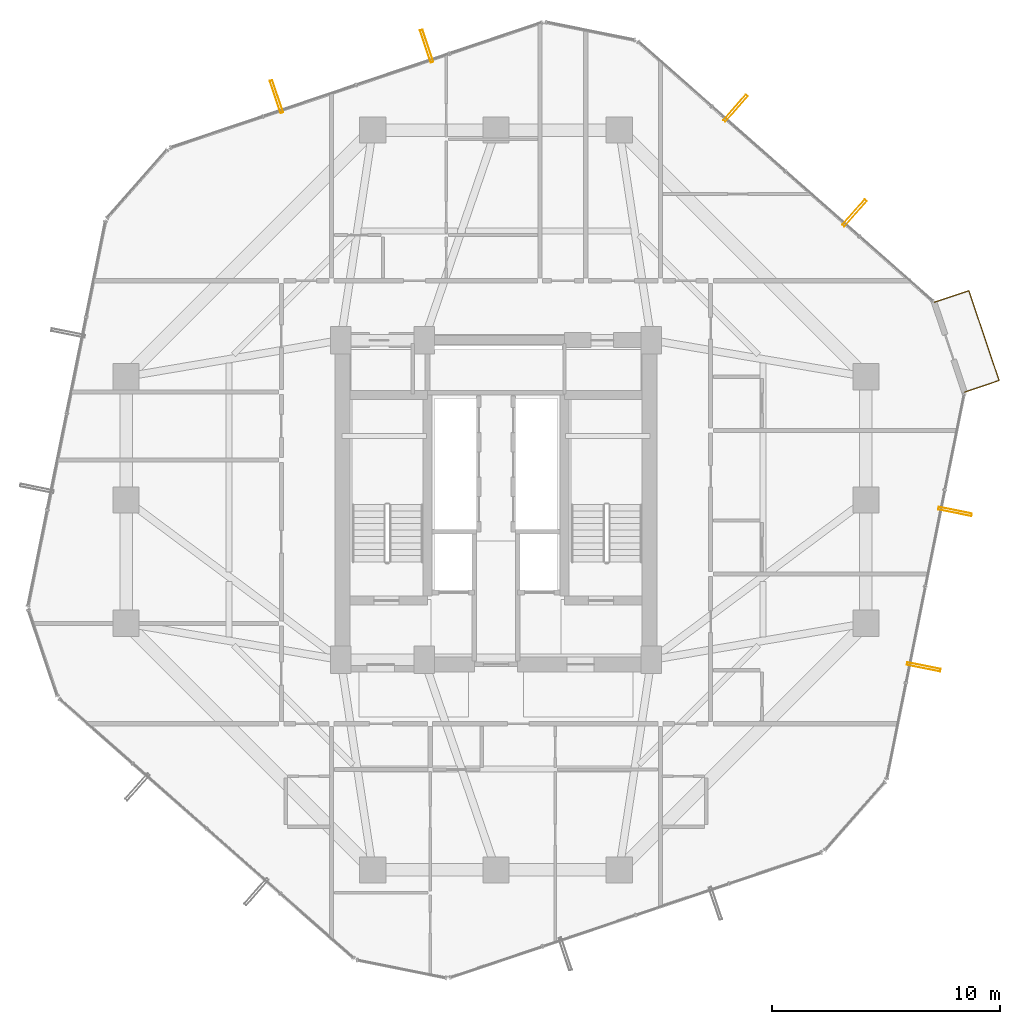
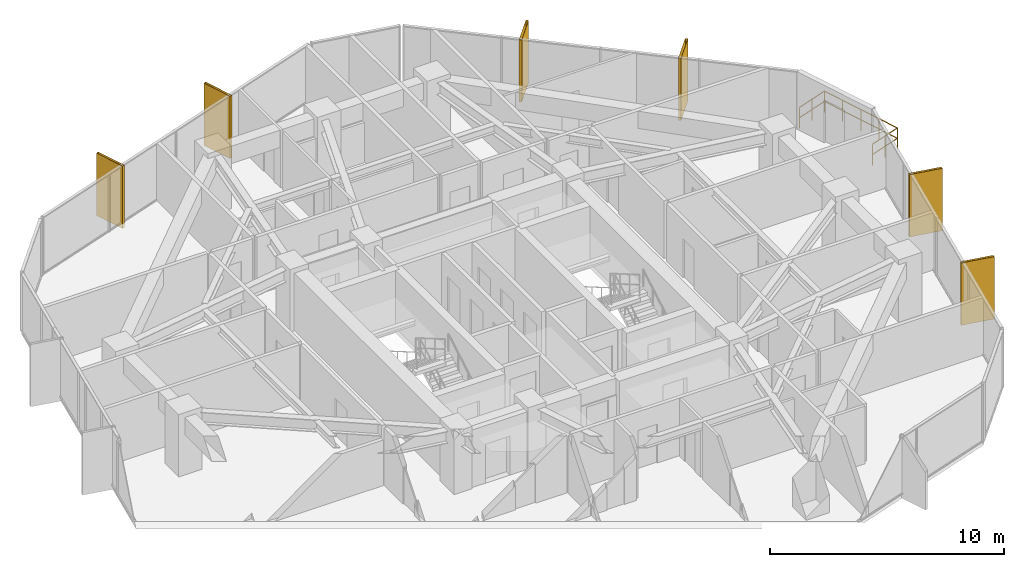
# One storey, part 32 of 32: 6 shading devices, 1 railing.
"""IFC4 building model written with IfcOpenShell, lengths in metres."""

from ifc_helpers import new_model, si_unit, direction, frame, origin, origin_2d, place, context, subcontext, project, spatial, hollow_rectangle, circle, extrude, material, material_profile, profile_set, type_object, element, save


model = new_model("IFC4")

# Units and contexts
model_context = context("Model", 3, precision=1e-05, world=origin(), true_north=direction((0.0, 1.0)))
body_context = subcontext(model_context, "Body", "Model", "MODEL_VIEW")
ifc_project = project(units=[si_unit("LENGTHUNIT", "METRE"), si_unit("AREAUNIT", "SQUARE_METRE"), si_unit("VOLUMEUNIT", "CUBIC_METRE"), si_unit("PLANEANGLEUNIT", "RADIAN"), si_unit("MASSUNIT", "GRAM", prefix="KILO")], contexts=[model_context])

# Site, building, storey
site_placement = place(None, origin())
site = spatial("IfcSite", under=ifc_project, at=site_placement, CompositionType="ELEMENT")
building_placement = place(site_placement, origin())
building = spatial("IfcBuilding", under=site, at=building_placement, Name="Veraguas Prism Commons", CompositionType="ELEMENT")
storey_placement = place(building_placement, frame((0.0, 0.0, 89.449951171875)))
storey = spatial("IfcBuildingStorey", under=building, at=storey_placement, Name="L24", CompositionType="ELEMENT", Elevation=89.449951171875)

# Shading devices
ifc_material_1 = material(Name="Anodised aluminium EN AW-6063 T6", Category="aluminium")
ifc_material_profile = material_profile(ifc_material_1, hollow_rectangle(XDim=0.1201171875, YDim=1.489990234375, WallThickness=0.006103515625, at=origin_2d()), Name="FIN120X1490X6")
ifc_profile_set = profile_set([ifc_material_profile], Name="Anodised aluminium EN AW-6063 T6")
shading_device_type = type_object("IfcShadingDeviceType", Name="Deep Pale-Metal Vertical Solar Fin 120x1490", PredefinedType="USERDEFINED", material=ifc_profile_set)
for number, where, z_axis, x_axis, name in (
    (1, (39.697998046875, 36.56787109375, -0.22998046875), (0.0, 0.0, 1.0), (-0.750338404055, 0.661053915653, 0.0), "Vertical Pale-Metal Solar Fin L24-F1A"),
    (2, (34.489501953125, 41.15673828125, -0.22998046875), (0.0, 0.0, 1.0), (-0.750338404055, 0.661053915653, 0.0), "Vertical Pale-Metal Solar Fin L24-F1B"),
    (3, (20.96484375, 43.87890625, -0.22998046875), (0.0, 0.0, 1.0), (-0.947658686254, -0.31928516152, 0.0), "Vertical Pale-Metal Solar Fin L24-F2A"),
    (4, (14.386474609375, 41.66259765625, -0.22998046875), (0.0, 0.0, 1.0), (-0.947658686254, -0.31928516152, 0.0), "Vertical Pale-Metal Solar Fin L24-F2B"),
    (5, (42.733154296875, 16.68896484375, -0.22998046875), (0.0, 0.0, 1.0), (0.197316860169, 0.980339765945, 0.0), "Vertical Pale-Metal Solar Fin L24-F6A"),
    (6, (44.102783203125, 23.494384765625, -0.22998046875), (0.0, 0.0, 1.0), (0.197316860169, 0.980339765945, 0.0), "Vertical Pale-Metal Solar Fin L24-F6B"),
):
    element("IfcShadingDevice", number, at=place(storey_placement, frame(where, z_axis=z_axis, x_axis=x_axis)), inside=storey, type_object=shading_device_type, Name=name, ObjectType="FIN", PredefinedType="USERDEFINED", context=body_context, shape_type="SweptSolid", body=[
        extrude(hollow_rectangle(XDim=0.1201171875, YDim=1.489990234375, WallThickness=0.006103515625, at=origin_2d()), origin(), (0.0, 0.0, 1.0), 3.25),
    ])

# Railing
ifc_material_2 = material(Name="Stainless steel AISI 316", Category="steel")
railing_type = type_object("IfcRailingType", Name="Loggia and Sky Pool Glazed Balustrade 1120", PredefinedType="BALUSTRADE", material=ifc_material_2)
railing_placement = place(storey_placement, frame((44.517578125, 28.7216796875, 0.0)))
element("IfcRailing", 7, at=railing_placement, inside=storey, type_object=railing_type, Name="Recessed Corner Loggia L24-C1 Guard", PredefinedType="BALUSTRADE", context=body_context, shape_type="SweptSolid", body=[
    extrude(circle(Radius=0.02392578125, at=origin_2d()), frame((0.0, 0.0, 1.09619140625), z_axis=(0.947671299308, 0.31924772273, 0.0), x_axis=(-0.31924772273, 0.947671299308, 0.0)), (0.0, 0.0, 1.0), 1.599853515625),
    extrude(circle(Radius=0.02392578125, at=origin_2d()), frame((0.0, 0.0, 0.56005859375), z_axis=(0.947671299308, 0.31924772273, 0.0), x_axis=(-0.31924772273, 0.947671299308, 0.0)), (0.0, 0.0, 1.0), 1.599853515625),
    extrude(circle(Radius=0.02392578125, at=origin_2d()), frame((1.51611328125, 0.5107421875, 1.09619140625), z_axis=(-0.319312229009, 0.947649566246, 0.0), x_axis=(-0.947649566246, -0.319312229009, 0.0)), (0.0, 0.0, 1.0), 4.1533203125),
    extrude(circle(Radius=0.02392578125, at=origin_2d()), frame((1.51611328125, 0.5107421875, 0.56005859375), z_axis=(-0.319312229009, 0.947649566246, 0.0), x_axis=(-0.947649566246, -0.319312229009, 0.0)), (0.0, 0.0, 1.0), 4.1533203125),
    extrude(circle(Radius=0.02392578125, at=origin_2d()), frame((0.18994140625, 4.446533203125, 1.09619140625), z_axis=(-0.947625122521, -0.319384763516, 0.0), x_axis=(0.319384763516, -0.947625122521, 0.0)), (0.0, 0.0, 1.0), 1.599853515625),
    extrude(circle(Radius=0.02392578125, at=origin_2d()), frame((0.18994140625, 4.446533203125, 0.56005859375), z_axis=(-0.947625122521, -0.319384763516, 0.0), x_axis=(0.319384763516, -0.947625122521, 0.0)), (0.0, 0.0, 1.0), 1.599853515625),
    extrude(circle(Radius=0.02099609375, at=origin_2d()), origin(), (0.0, 0.0, 1.0), 1.072021484375),
    extrude(circle(Radius=0.02099609375, at=origin_2d()), frame((0.758056640625, 0.25537109375, 0.0)), (0.0, 0.0, 1.0), 1.072021484375),
    extrude(circle(Radius=0.02099609375, at=origin_2d()), frame((1.51611328125, 0.5107421875, 0.0)), (0.0, 0.0, 1.0), 1.072021484375),
    extrude(circle(Radius=0.02099609375, at=origin_2d()), frame((1.1845703125, 1.49462890625, 0.0)), (0.0, 0.0, 1.0), 1.072021484375),
    extrude(circle(Radius=0.02099609375, at=origin_2d()), frame((0.85302734375, 2.478515625, 0.0)), (0.0, 0.0, 1.0), 1.072021484375),
    extrude(circle(Radius=0.02099609375, at=origin_2d()), frame((0.521484375, 3.462646484375, 0.0)), (0.0, 0.0, 1.0), 1.072021484375),
    extrude(circle(Radius=0.02099609375, at=origin_2d()), frame((0.18994140625, 4.446533203125, 0.0)), (0.0, 0.0, 1.0), 1.072021484375),
    extrude(circle(Radius=0.02099609375, at=origin_2d()), frame((-0.568115234375, 4.19091796875, 0.0)), (0.0, 0.0, 1.0), 1.072021484375),
    extrude(circle(Radius=0.02099609375, at=origin_2d()), frame((-1.326171875, 3.935546875, 0.0)), (0.0, 0.0, 1.0), 1.072021484375),
])

save(model, "model.ifc")
